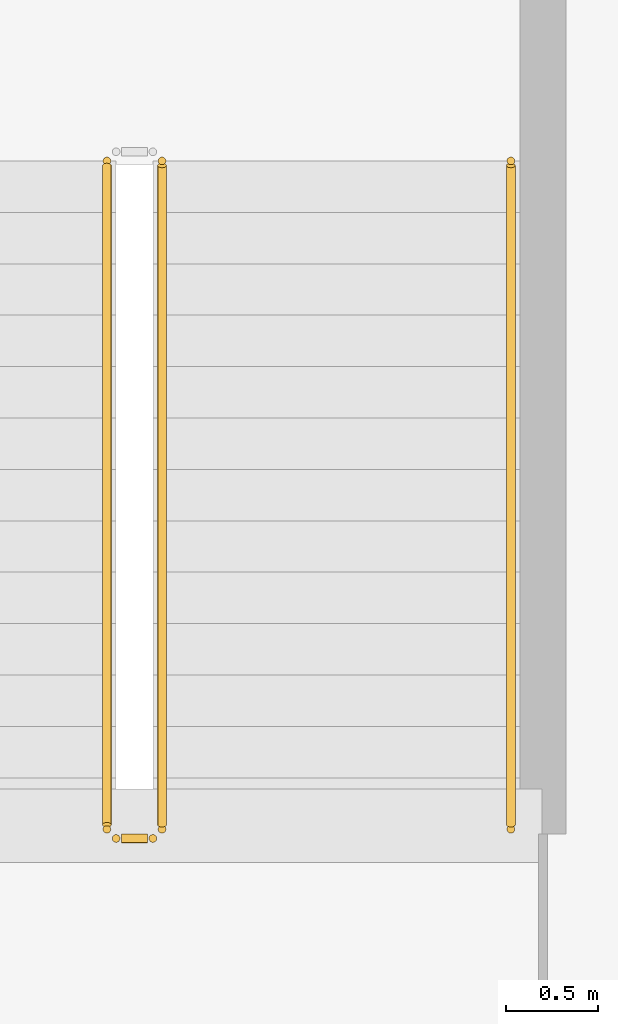
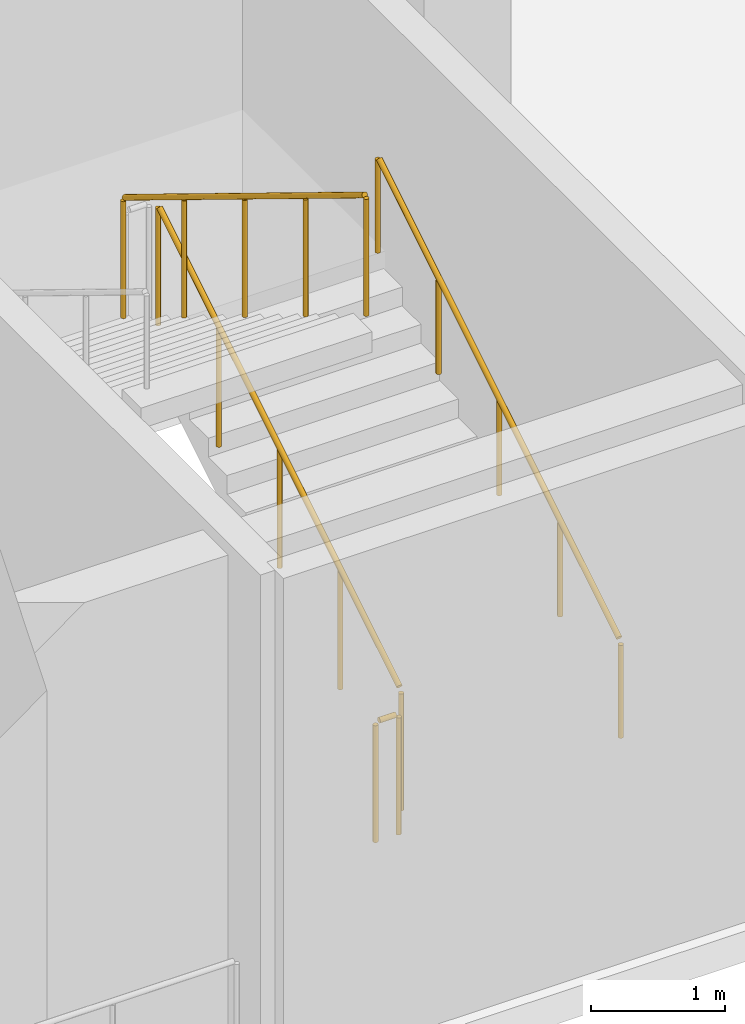
# One storey, part 45 of 51: 4 railings.
"""IFC4 building model written with IfcOpenShell, lengths in metres."""

from ifc_helpers import new_model, si_unit, direction, frame, origin, origin_2d, place, context, subcontext, project, spatial, circle, extrude, material, type_object, element, save


model = new_model("IFC4")

# Units and contexts
model_context = context("Model", 3, precision=1e-05, world=origin(), true_north=direction((0.0, 1.0)))
body_context = subcontext(model_context, "Body", "Model", "MODEL_VIEW")
ifc_project = project(units=[si_unit("LENGTHUNIT", "METRE"), si_unit("AREAUNIT", "SQUARE_METRE"), si_unit("VOLUMEUNIT", "CUBIC_METRE"), si_unit("PLANEANGLEUNIT", "RADIAN"), si_unit("MASSUNIT", "GRAM", prefix="KILO")], contexts=[model_context])

# Site, building, storey
site_placement = place(None, origin())
site = spatial("IfcSite", under=ifc_project, at=site_placement, CompositionType="ELEMENT")
building_placement = place(site_placement, origin())
building = spatial("IfcBuilding", under=site, at=building_placement, Name="Zuvorla Pavilion Media Centre", CompositionType="ELEMENT")
storey_placement = place(building_placement, frame((0.0, 0.0, 4.800048828125)))
storey = spatial("IfcBuildingStorey", under=building, at=storey_placement, Name="L01", CompositionType="ELEMENT", Elevation=4.800048828125)

# Railings
ifc_material_1 = material(Name="Powder-coated steel balustrade guard", Category="steel")
railing_type_1 = type_object("IfcRailingType", Name="RL-INT-GRD", PredefinedType="BALUSTRADE", material=ifc_material_1)
railing_1_placement = place(storey_placement, frame((96.550048828125, 83.550048828125, 0.17138671875)))
element("IfcRailing", 1, at=railing_1_placement, inside=storey, type_object=railing_type_1, Name="L01 ST-05 stair guard 1", PredefinedType="BALUSTRADE", context=body_context, shape_type="SweptSolid", body=[
    extrude(circle(Radius=0.02392578125, at=origin_2d()), frame((0.0, 0.024658203125, 1.111083984375), z_axis=(0.0, 0.852850264322, 0.5221555579), x_axis=(-1.0, 0.0, 0.0)), (0.0, 0.0, 1.0), 4.210205078125),
    extrude(circle(Radius=0.02099609375, at=origin_2d()), origin(), (0.0, 0.0, 1.0), 1.070068359375),
    extrude(circle(Radius=0.02099609375, at=origin_2d()), frame((0.0, 0.909912109375, 0.55712890625)), (0.0, 0.0, 1.0), 1.070068359375),
    extrude(circle(Radius=0.02099609375, at=origin_2d()), frame((0.0, 1.81982421875, 1.1142578125)), (0.0, 0.0, 1.0), 1.070068359375),
    extrude(circle(Radius=0.02099609375, at=origin_2d()), frame((0.0, 2.72998046875, 1.67138671875)), (0.0, 0.0, 1.0), 1.070068359375),
    extrude(circle(Radius=0.02099609375, at=origin_2d()), frame((0.0, 3.639892578125, 2.228515625)), (0.0, 0.0, 1.0), 1.070068359375),
])
railing_2_placement = place(storey_placement, frame((96.25, 87.18994140625, 2.5712890625)))
element("IfcRailing", 2, at=railing_2_placement, inside=storey, type_object=railing_type_1, Name="L01 ST-05 stair guard 3", PredefinedType="BALUSTRADE", context=body_context, shape_type="SweptSolid", body=[
    extrude(circle(Radius=0.02392578125, at=origin_2d()), frame((0.0, -0.024658203125, 1.111083984375), z_axis=(0.0, -0.852824790078, 0.522197163366), x_axis=(1.0, 0.0, 0.0)), (0.0, 0.0, 1.0), 4.21044921875),
    extrude(circle(Radius=0.02099609375, at=origin_2d()), origin(), (0.0, 0.0, 1.0), 1.070068359375),
    extrude(circle(Radius=0.02099609375, at=origin_2d()), frame((0.0, -0.909912109375, 0.55712890625)), (0.0, 0.0, 1.0), 1.070068359375),
    extrude(circle(Radius=0.02099609375, at=origin_2d()), frame((0.0, -1.81982421875, 1.1142578125)), (0.0, 0.0, 1.0), 1.070068359375),
    extrude(circle(Radius=0.02099609375, at=origin_2d()), frame((0.0, -2.72998046875, 1.671630859375)), (0.0, 0.0, 1.0), 1.070068359375),
    extrude(circle(Radius=0.02099609375, at=origin_2d()), frame((0.0, -3.639892578125, 2.228759765625)), (0.0, 0.0, 1.0), 1.070068359375),
])
railing_3_placement = place(storey_placement, frame((96.5, 83.5, 0.0)))
element("IfcRailing", 3, at=railing_3_placement, inside=storey, type_object=railing_type_1, Name="L01 ST-05 stair guard 4", PredefinedType="BALUSTRADE", context=body_context, shape_type="SweptSolid", body=[
    extrude(circle(Radius=0.02392578125, at=origin_2d()), frame((-0.02880859375, 0.0, 1.09619140625), z_axis=(-1.0, 0.0, 0.0), x_axis=(0.0, -1.0, 0.0)), (0.0, 0.0, 1.0), 0.142333984375),
    extrude(circle(Radius=0.02099609375, at=origin_2d()), origin(), (0.0, 0.0, 1.0), 1.070068359375),
    extrude(circle(Radius=0.02099609375, at=origin_2d()), frame((-0.199951171875, 0.0, 0.0)), (0.0, 0.0, 1.0), 1.070068359375),
])
ifc_material_2 = material(Name="Brushed stainless steel tubular handrail", Category="steel")
railing_type_2 = type_object("IfcRailingType", Name="RL-INT-HND", PredefinedType="HANDRAIL", material=ifc_material_2)
railing_4_placement = place(storey_placement, frame((98.449951171875, 83.550048828125, 0.17138671875)))
element("IfcRailing", 4, at=railing_4_placement, inside=storey, type_object=railing_type_2, Name="L01 ST-05 handrail 1", PredefinedType="HANDRAIL", context=body_context, shape_type="SweptSolid", body=[
    extrude(circle(Radius=0.02392578125, at=origin_2d()), frame((0.0, 0.024658203125, 0.890869140625), z_axis=(0.0, 0.852850264322, 0.5221555579), x_axis=(-1.0, 0.0, 0.0)), (0.0, 0.0, 1.0), 4.210205078125),
    extrude(circle(Radius=0.02099609375, at=origin_2d()), origin(), (0.0, 0.0, 1.0), 0.849853515625),
    extrude(circle(Radius=0.02099609375, at=origin_2d()), frame((0.0, 0.909912109375, 0.55712890625)), (0.0, 0.0, 1.0), 0.849853515625),
    extrude(circle(Radius=0.02099609375, at=origin_2d()), frame((0.0, 1.81982421875, 1.1142578125)), (0.0, 0.0, 1.0), 0.849853515625),
    extrude(circle(Radius=0.02099609375, at=origin_2d()), frame((0.0, 2.72998046875, 1.67138671875)), (0.0, 0.0, 1.0), 0.849853515625),
    extrude(circle(Radius=0.02099609375, at=origin_2d()), frame((0.0, 3.639892578125, 2.228515625)), (0.0, 0.0, 1.0), 0.849853515625),
])

save(model, "model.ifc")
